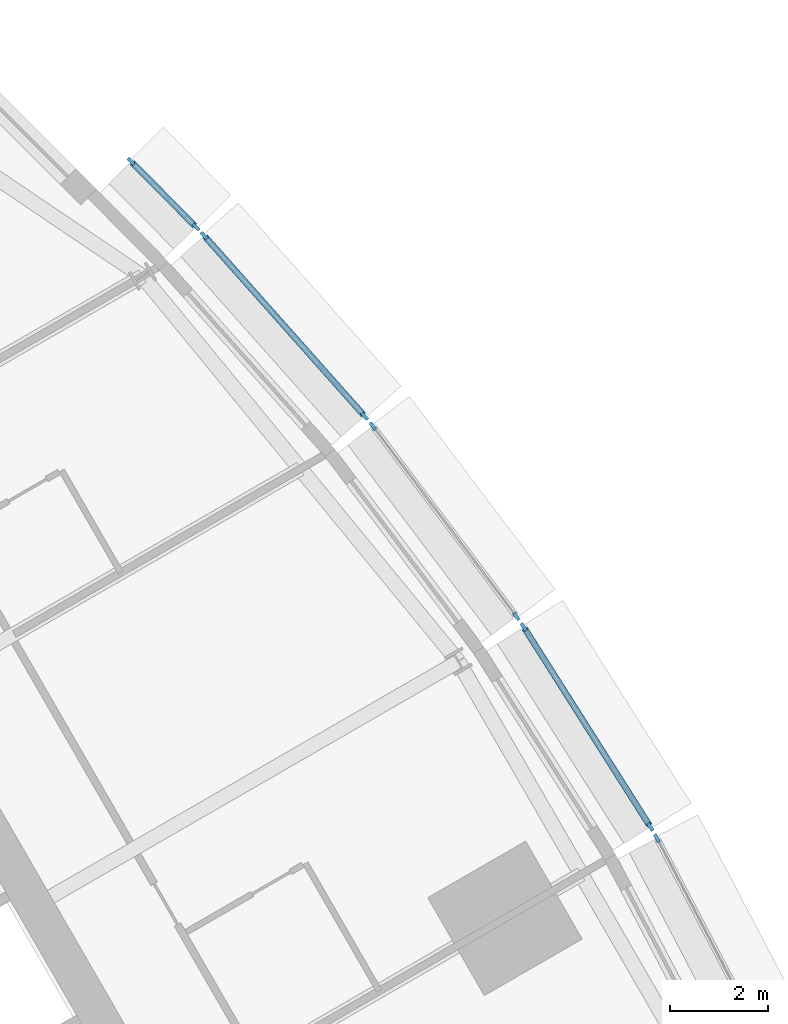
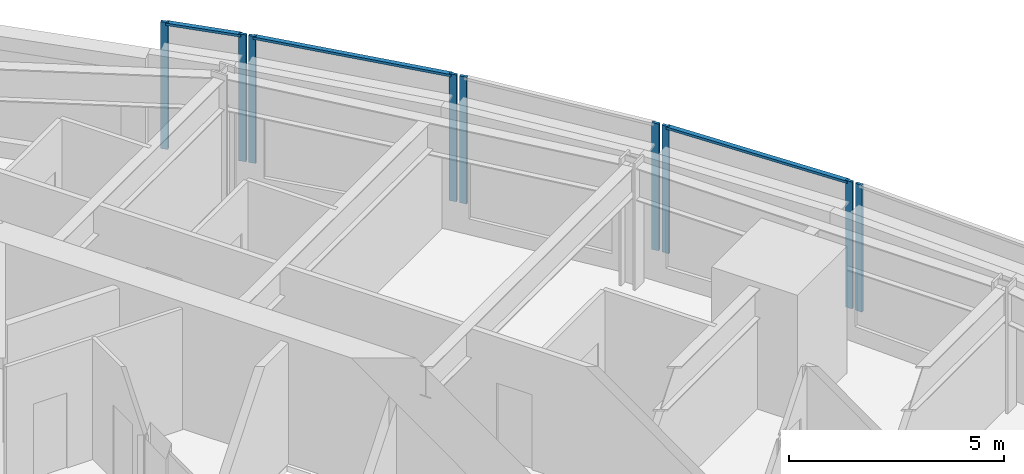
# One storey, part 6 of 15: 12 members, 5 elements without a shape of their own.
"""IFC4 building model written with IfcOpenShell, lengths in metres."""

from ifc_helpers import new_model, si_unit, direction, frame, origin, origin_2d, place, context, subcontext, project, spatial, rectangle, extrude, material, material_profile, profile_set, type_object, element, aggregate, save


model = new_model("IFC4")

# Units and contexts
model_context = context("Model", 3, precision=1e-05, world=origin(), true_north=direction((0.0, 1.0)))
body_context = subcontext(model_context, "Body", "Model", "MODEL_VIEW")
ifc_project = project(units=[si_unit("LENGTHUNIT", "METRE"), si_unit("AREAUNIT", "SQUARE_METRE"), si_unit("VOLUMEUNIT", "CUBIC_METRE"), si_unit("PLANEANGLEUNIT", "RADIAN"), si_unit("MASSUNIT", "GRAM", prefix="KILO")], contexts=[model_context])

# Site, building, storey
site_placement = place(None, origin())
site = spatial("IfcSite", under=ifc_project, at=site_placement, CompositionType="ELEMENT")
building_placement = place(site_placement, origin())
building = spatial("IfcBuilding", under=site, at=building_placement, Name="Trikona Tower", CompositionType="ELEMENT")
storey_placement = place(building_placement, frame((0.0, 0.0, 208.10009765625)))
storey = spatial("IfcBuildingStorey", under=building, at=storey_placement, Name="L55", CompositionType="ELEMENT", Elevation=208.10009765625)

# Curtain wall, member
ifc_material_1 = material(Name="Aluminium curtain wall system", Category="aluminium")
curtain_wall_type = type_object("IfcCurtainWallType", Name="Curtain wall DS3", PredefinedType="NOTDEFINED", material=ifc_material_1)
curtain_wall_1_placement = place(storey_placement, origin())
curtain_wall_1 = element("IfcCurtainWall", 1, at=curtain_wall_1_placement, inside=storey, type_object=curtain_wall_type, Name="Curtain wall DS3 L55", PredefinedType="NOTDEFINED")
ifc_material_2 = material(Name="Aluminium mullion, pale anodised", Category="aluminium")
ifc_material_profile_1 = material_profile(ifc_material_2, rectangle(XDim=0.070068359375, YDim=0.179931640625, at=origin_2d()), Name="MUL-DS3")
ifc_profile_set_1 = profile_set([ifc_material_profile_1], Name="Aluminium mullion, pale anodised")
member_type_1 = type_object("IfcMemberType", Name="Mullion DS3 70x180", PredefinedType="MULLION", material=ifc_profile_set_1)
member_1_placement = place(storey_placement, frame((18.40234375, 10.472412109375, 0.0), z_axis=(0.0, 0.0, 1.0), x_axis=(-0.885862390527, -0.463948084434, 0.0)))
member_1 = element("IfcMember", 2, at=member_1_placement, type_object=member_type_1, Name="CW-DS3 mullion 2", PredefinedType="MULLION", context=body_context, shape_type="SweptSolid", body=[
    extrude(rectangle(XDim=0.070068359375, YDim=0.179931640625, at=origin_2d()), origin(), (0.0, 0.0, 1.0), 3.599853515625),
])
aggregate(curtain_wall_1, [member_1])

# Curtain wall, members
curtain_wall_2_placement = place(storey_placement, origin())
curtain_wall_2 = element("IfcCurtainWall", 3, at=curtain_wall_2_placement, inside=storey, type_object=curtain_wall_type, Name="Curtain wall DS3 L55", PredefinedType="NOTDEFINED")
member_2_placement = place(storey_placement, frame((18.2705078125, 10.700927734375, 0.0), z_axis=(0.0, 0.0, 1.0), x_axis=(-0.844727131858, -0.535197227854, 0.0)))
member_2 = element("IfcMember", 4, at=member_2_placement, type_object=member_type_1, Name="CW-DS3 mullion 1", PredefinedType="MULLION", context=body_context, shape_type="SweptSolid", body=[
    extrude(rectangle(XDim=0.070068359375, YDim=0.179931640625, at=origin_2d()), origin(), (0.0, 0.0, 1.0), 3.599853515625),
])
member_3_placement = place(storey_placement, frame((15.69384765625, 14.767578125, 0.0), z_axis=(0.0, 0.0, 1.0), x_axis=(-0.844727131858, -0.535197227854, 0.0)))
member_3 = element("IfcMember", 5, at=member_3_placement, type_object=member_type_1, Name="CW-DS3 mullion 2", PredefinedType="MULLION", context=body_context, shape_type="SweptSolid", body=[
    extrude(rectangle(XDim=0.070068359375, YDim=0.179931640625, at=origin_2d()), origin(), (0.0, 0.0, 1.0), 3.599853515625),
])

curtain_wall_3_placement = place(storey_placement, origin())
curtain_wall_3 = element("IfcCurtainWall", 6, at=curtain_wall_3_placement, inside=storey, type_object=curtain_wall_type, Name="Curtain wall DS3 L55", PredefinedType="NOTDEFINED")
member_4_placement = place(storey_placement, frame((15.5439453125, 14.984130859375, 0.0), z_axis=(0.0, 0.0, 1.0), x_axis=(-0.798193208724, -0.602401528506, 0.0)))
member_4 = element("IfcMember", 7, at=member_4_placement, type_object=member_type_1, Name="CW-DS3 mullion 1", PredefinedType="MULLION", context=body_context, shape_type="SweptSolid", body=[
    extrude(rectangle(XDim=0.070068359375, YDim=0.179931640625, at=origin_2d()), origin(), (0.0, 0.0, 1.0), 3.599853515625),
])
member_5_placement = place(storey_placement, frame((12.62353515625, 18.853759765625, 0.0), z_axis=(0.0, 0.0, 1.0), x_axis=(-0.798193208724, -0.602401528506, 0.0)))
member_5 = element("IfcMember", 8, at=member_5_placement, type_object=member_type_1, Name="CW-DS3 mullion 2", PredefinedType="MULLION", context=body_context, shape_type="SweptSolid", body=[
    extrude(rectangle(XDim=0.070068359375, YDim=0.179931640625, at=origin_2d()), origin(), (0.0, 0.0, 1.0), 3.599853515625),
])
aggregate(curtain_wall_3, [member_4, member_5])

curtain_wall_4_placement = place(storey_placement, origin())
curtain_wall_4 = element("IfcCurtainWall", 9, at=curtain_wall_4_placement, inside=storey, type_object=curtain_wall_type, Name="Curtain wall DS3 L55", PredefinedType="NOTDEFINED")
member_6_placement = place(storey_placement, frame((12.45751953125, 19.056396484375, 0.0), z_axis=(0.0, 0.0, 1.0), x_axis=(-0.747402677853, -0.664371309689, 0.0)))
member_6 = element("IfcMember", 10, at=member_6_placement, type_object=member_type_1, Name="CW-DS3 mullion 1", PredefinedType="MULLION", context=body_context, shape_type="SweptSolid", body=[
    extrude(rectangle(XDim=0.070068359375, YDim=0.179931640625, at=origin_2d()), origin(), (0.0, 0.0, 1.0), 3.599853515625),
])
member_7_placement = place(storey_placement, frame((9.192138671875, 22.729736328125, 0.0), z_axis=(0.0, 0.0, 1.0), x_axis=(-0.747402677853, -0.664371309689, 0.0)))
member_7 = element("IfcMember", 11, at=member_7_placement, type_object=member_type_1, Name="CW-DS3 mullion 2", PredefinedType="MULLION", context=body_context, shape_type="SweptSolid", body=[
    extrude(rectangle(XDim=0.070068359375, YDim=0.179931640625, at=origin_2d()), origin(), (0.0, 0.0, 1.0), 3.599853515625),
])

curtain_wall_5_placement = place(storey_placement, origin())
curtain_wall_5 = element("IfcCurtainWall", 12, at=curtain_wall_5_placement, inside=storey, type_object=curtain_wall_type, Name="Curtain wall DS3 L55", PredefinedType="NOTDEFINED")
member_8_placement = place(storey_placement, frame((9.028564453125, 22.904052734375, 0.0), z_axis=(0.0, 0.0, 1.0), x_axis=(-0.710051900554, -0.704149343903, 0.0)))
member_8 = element("IfcMember", 13, at=member_8_placement, type_object=member_type_1, Name="CW-DS3 mullion 1", PredefinedType="MULLION", context=body_context, shape_type="SweptSolid", body=[
    extrude(rectangle(XDim=0.070068359375, YDim=0.179931640625, at=origin_2d()), origin(), (0.0, 0.0, 1.0), 3.599853515625),
])
member_9_placement = place(storey_placement, frame((7.7060546875, 24.237548828125, 0.0), z_axis=(0.0, 0.0, 1.0), x_axis=(-0.710051900554, -0.704149343903, 0.0)))
member_9 = element("IfcMember", 14, at=member_9_placement, type_object=member_type_1, Name="CW-DS3 mullion 2", PredefinedType="MULLION", context=body_context, shape_type="SweptSolid", body=[
    extrude(rectangle(XDim=0.070068359375, YDim=0.179931640625, at=origin_2d()), origin(), (0.0, 0.0, 1.0), 3.599853515625),
])

# Member
ifc_material_3 = material(Name="Aluminium transom, pale anodised", Category="aluminium")
ifc_material_profile_2 = material_profile(ifc_material_3, rectangle(XDim=0.1201171875, YDim=0.070068359375, at=origin_2d()), Name="TRN-DS3")
ifc_profile_set_2 = profile_set([ifc_material_profile_2], Name="Aluminium transom, pale anodised")
member_type_2 = type_object("IfcMemberType", Name="Transom DS3 70x120", PredefinedType="USERDEFINED", material=ifc_profile_set_2)
member_10_placement = place(storey_placement, frame((18.251708984375, 10.73046875, 3.56494140625), z_axis=(-0.535192866729, 0.844729894938, 0.0), x_axis=(-0.844729894938, -0.535192866729, 0.0)))
member_10 = element("IfcMember", 15, at=member_10_placement, type_object=member_type_2, Name="CW-DS3 transom 1.1", ObjectType="TRANSOM", PredefinedType="USERDEFINED", context=body_context, shape_type="SweptSolid", body=[
    extrude(rectangle(XDim=0.1201171875, YDim=0.070068359375, at=origin_2d()), origin(), (0.0, 0.0, 1.0), 4.744140625),
])

aggregate(curtain_wall_2, [member_2, member_3, member_10])

member_11_placement = place(storey_placement, frame((12.43408203125, 19.08251953125, 3.56494140625), z_axis=(-0.66436383883, 0.747409318684, 0.0), x_axis=(-0.747409318684, -0.66436383883, 0.0)))
member_11 = element("IfcMember", 16, at=member_11_placement, type_object=member_type_2, Name="CW-DS3 transom 1.1", ObjectType="TRANSOM", PredefinedType="USERDEFINED", context=body_context, shape_type="SweptSolid", body=[
    extrude(rectangle(XDim=0.1201171875, YDim=0.070068359375, at=origin_2d()), origin(), (0.0, 0.0, 1.0), 4.844970703125),
])

aggregate(curtain_wall_4, [member_6, member_7, member_11])

member_12_placement = place(storey_placement, frame((9.00390625, 22.9287109375, 3.56494140625), z_axis=(-0.704130668076, 0.710070420645, 0.0), x_axis=(-0.710070420645, -0.704130668076, 0.0)))
member_12 = element("IfcMember", 17, at=member_12_placement, type_object=member_type_2, Name="CW-DS3 transom 1.1", ObjectType="TRANSOM", PredefinedType="USERDEFINED", context=body_context, shape_type="SweptSolid", body=[
    extrude(rectangle(XDim=0.1201171875, YDim=0.070068359375, at=origin_2d()), origin(), (0.0, 0.0, 1.0), 1.80859375),
])

aggregate(curtain_wall_5, [member_8, member_9, member_12])

save(model, "model.ifc")
